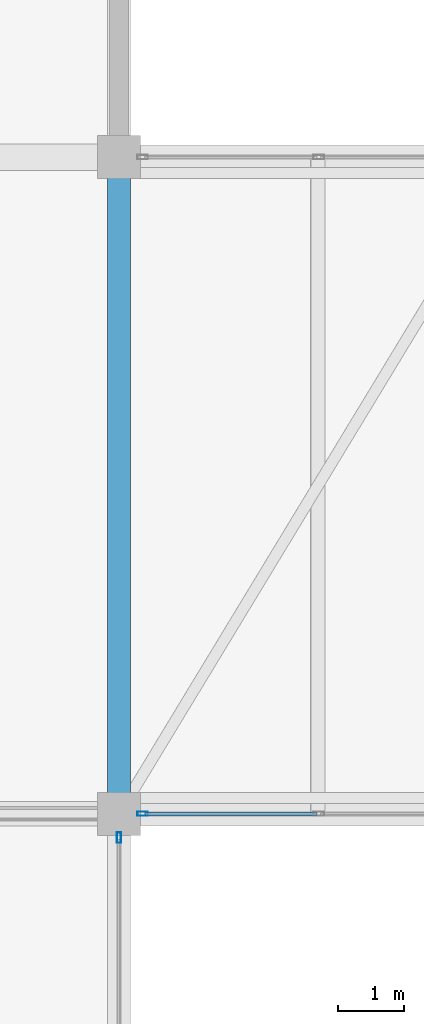
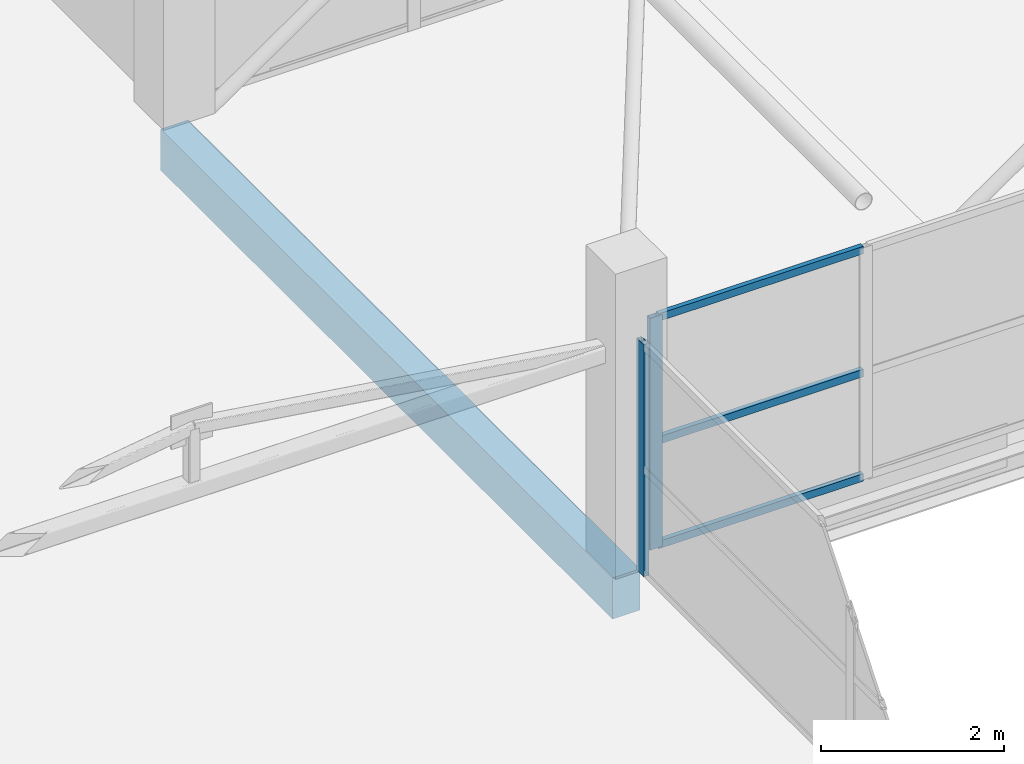
# One storey, part 32 of 66: 5 members, 1 beam, 2 elements without a shape of their own.
"""IFC4 building model written with IfcOpenShell, lengths in metres."""

from ifc_helpers import new_model, si_unit, direction, frame, origin, origin_2d, place, context, subcontext, project, spatial, rectangle, hollow_rectangle, extrude, material, layer, layer_set, material_profile, profile_set, type_object, element, aggregate, save


model = new_model("IFC4")

# Units and contexts
model_context = context("Model", 3, precision=1e-05, world=origin(), true_north=direction((0.0, 1.0)))
body_context = subcontext(model_context, "Body", "Model", "MODEL_VIEW")
ifc_project = project(units=[si_unit("LENGTHUNIT", "METRE"), si_unit("AREAUNIT", "SQUARE_METRE"), si_unit("VOLUMEUNIT", "CUBIC_METRE"), si_unit("PLANEANGLEUNIT", "RADIAN"), si_unit("MASSUNIT", "GRAM", prefix="KILO")], contexts=[model_context])

# Site, building, storey
site_placement = place(None, origin())
site = spatial("IfcSite", under=ifc_project, at=site_placement, CompositionType="ELEMENT")
building_placement = place(site_placement, origin())
building = spatial("IfcBuilding", under=site, at=building_placement, Name="Sillaruma Civic Art Gallery", CompositionType="ELEMENT")
storey_placement = place(building_placement, frame((0.0, 0.0, 62.219970703125)))
storey = spatial("IfcBuildingStorey", under=building, at=storey_placement, Name="L12", CompositionType="ELEMENT", Elevation=62.219970703125)

# Beam
ifc_material_1 = material(Name="Concrete H35 (35 MPa)", Category="concrete")
ifc_material_profile_1 = material_profile(ifc_material_1, rectangle(XDim=0.35009765625, YDim=0.550048828125, at=origin_2d()), Name="RCB350x550")
ifc_profile_set_1 = profile_set([ifc_material_profile_1], Name="Concrete H35 (35 MPa)")
beam_type = type_object("IfcBeamType", Name="BM-SPANDREL-RCB350x550", PredefinedType="SPANDREL", material=ifc_profile_set_1)
beam_placement = place(storey_placement, frame((92.0, 69.300048828125, -0.5048828125), z_axis=(0.0, 1.0, 0.0), x_axis=(-1.0, 0.0, 0.0)))
element("IfcBeam", 1, at=beam_placement, inside=storey, type_object=beam_type, Name="Beam BS-04 (L11:K:8-9)", PredefinedType="SPANDREL", context=body_context, shape_type="SweptSolid", body=[
    extrude(rectangle(XDim=0.35009765625, YDim=0.550048828125, at=origin_2d()), origin(), (0.0, 0.0, 1.0), 9.89990234375),
])

# Curtain wall, member
ifc_material_2 = material(Name="Thermally Broken Extruded Aluminium 6063-T6", Category="aluminium")
ifc_layer_1 = layer(ifc_material_2, 0.159912109375, Name="Thermally Broken Extruded Aluminium 6063-T6")
ifc_layer_set_1 = layer_set([ifc_layer_1], Name="Thermally Broken Extruded Aluminium 6063-T6")
curtain_wall_type_1 = type_object("IfcCurtainWallType", Name="CW-UNI-94", PredefinedType="NOTDEFINED", material=ifc_layer_set_1)
curtain_wall_1_placement = place(storey_placement, origin())
curtain_wall_1 = element("IfcCurtainWall", 2, at=curtain_wall_1_placement, inside=storey, type_object=curtain_wall_type_1, Name="Unitised Curtain Wall CW-94 (CW-L12-WBE-5)", PredefinedType="NOTDEFINED")
ifc_material_profile_2 = material_profile(ifc_material_2, hollow_rectangle(XDim=0.06494140625, YDim=0.159912109375, WallThickness=0.00390625, at=origin_2d()), Name="CWM65x160")
ifc_profile_set_2 = profile_set([ifc_material_profile_2], Name="Thermally Broken Extruded Aluminium 6063-T6")
member_type_1 = type_object("IfcMemberType", Name="MEM-MUL-CWM65x160", PredefinedType="MULLION", material=ifc_profile_set_2)
member_1_placement = place(storey_placement, frame((92.0, 68.9423828125, 0.0), z_axis=(0.0, 0.0, 1.0), x_axis=(-1.0, 0.0, 0.0)))
member_1 = element("IfcMember", 3, at=member_1_placement, type_object=member_type_1, Name="CW-94 mullion 3", PredefinedType="MULLION", context=body_context, shape_type="SweptSolid", body=[
    extrude(hollow_rectangle(XDim=0.06494140625, YDim=0.159912109375, WallThickness=0.00390625, at=origin_2d()), origin(), (0.0, 0.0, 1.0), 3.10009765625),
])
aggregate(curtain_wall_1, [member_1])

# Curtain wall, members
ifc_layer_2 = layer(ifc_material_2, 0.159912109375, Name="Thermally Broken Extruded Aluminium 6063-T6")
ifc_layer_set_2 = layer_set([ifc_layer_2], Name="Thermally Broken Extruded Aluminium 6063-T6")
curtain_wall_type_2 = type_object("IfcCurtainWallType", Name="CW-UNI-104", PredefinedType="NOTDEFINED", material=ifc_layer_set_2)
curtain_wall_2_placement = place(storey_placement, origin())
curtain_wall_2 = element("IfcCurtainWall", 4, at=curtain_wall_2_placement, inside=storey, type_object=curtain_wall_type_2, Name="Unitised Curtain Wall CW-104 (CW-BRG-N-L12-S)", PredefinedType="NOTDEFINED")
member_2_placement = place(storey_placement, frame((92.357421875, 69.300048828125, 0.0), z_axis=(0.0, 0.0, 1.0), x_axis=(0.0, 1.0, 0.0)))
member_2 = element("IfcMember", 5, at=member_2_placement, type_object=member_type_1, Name="CW-104 mullion 1", PredefinedType="MULLION", context=body_context, shape_type="SweptSolid", body=[
    extrude(hollow_rectangle(XDim=0.06494140625, YDim=0.159912109375, WallThickness=0.00390625, at=origin_2d()), origin(), (0.0, 0.0, 1.0), 3.10009765625),
])
ifc_material_profile_3 = material_profile(ifc_material_2, hollow_rectangle(XDim=0.06005859375, YDim=0.10009765625, WallThickness=0.003173828125, at=origin_2d()), Name="CWT60x100")
ifc_profile_set_3 = profile_set([ifc_material_profile_3], Name="Thermally Broken Extruded Aluminium 6063-T6")
member_type_2 = type_object("IfcMemberType", Name="MEM-TRN-CWT60x100", PredefinedType="USERDEFINED", material=ifc_profile_set_3)
member_3_placement = place(storey_placement, frame((92.389892578125, 69.300048828125, 0.030029296875), z_axis=(1.0, 0.0, 0.0), x_axis=(0.0, 1.0, 0.0)))
member_3 = element("IfcMember", 6, at=member_3_placement, type_object=member_type_2, Name="CW-104 transom 1.1", ObjectType="TRANSOM", PredefinedType="USERDEFINED", context=body_context, shape_type="SweptSolid", body=[
    extrude(hollow_rectangle(XDim=0.06005859375, YDim=0.10009765625, WallThickness=0.003173828125, at=origin_2d()), origin(), (0.0, 0.0, 1.0), 2.590087890625),
])
member_4_placement = place(storey_placement, frame((92.389892578125, 69.300048828125, 1.426025390625), z_axis=(1.0, 0.0, 0.0), x_axis=(0.0, 1.0, 0.0)))
member_4 = element("IfcMember", 7, at=member_4_placement, type_object=member_type_2, Name="CW-104 transom 1.2", ObjectType="TRANSOM", PredefinedType="USERDEFINED", context=body_context, shape_type="SweptSolid", body=[
    extrude(hollow_rectangle(XDim=0.06005859375, YDim=0.10009765625, WallThickness=0.003173828125, at=origin_2d()), origin(), (0.0, 0.0, 1.0), 2.590087890625),
])
member_5_placement = place(storey_placement, frame((92.389892578125, 69.300048828125, 3.070068359375), z_axis=(1.0, 0.0, 0.0), x_axis=(0.0, 1.0, 0.0)))
member_5 = element("IfcMember", 8, at=member_5_placement, type_object=member_type_2, Name="CW-104 transom 1.3", ObjectType="TRANSOM", PredefinedType="USERDEFINED", context=body_context, shape_type="SweptSolid", body=[
    extrude(hollow_rectangle(XDim=0.06005859375, YDim=0.10009765625, WallThickness=0.003173828125, at=origin_2d()), origin(), (0.0, 0.0, 1.0), 2.590087890625),
])
aggregate(curtain_wall_2, [member_2, member_3, member_4, member_5])

save(model, "model.ifc")
